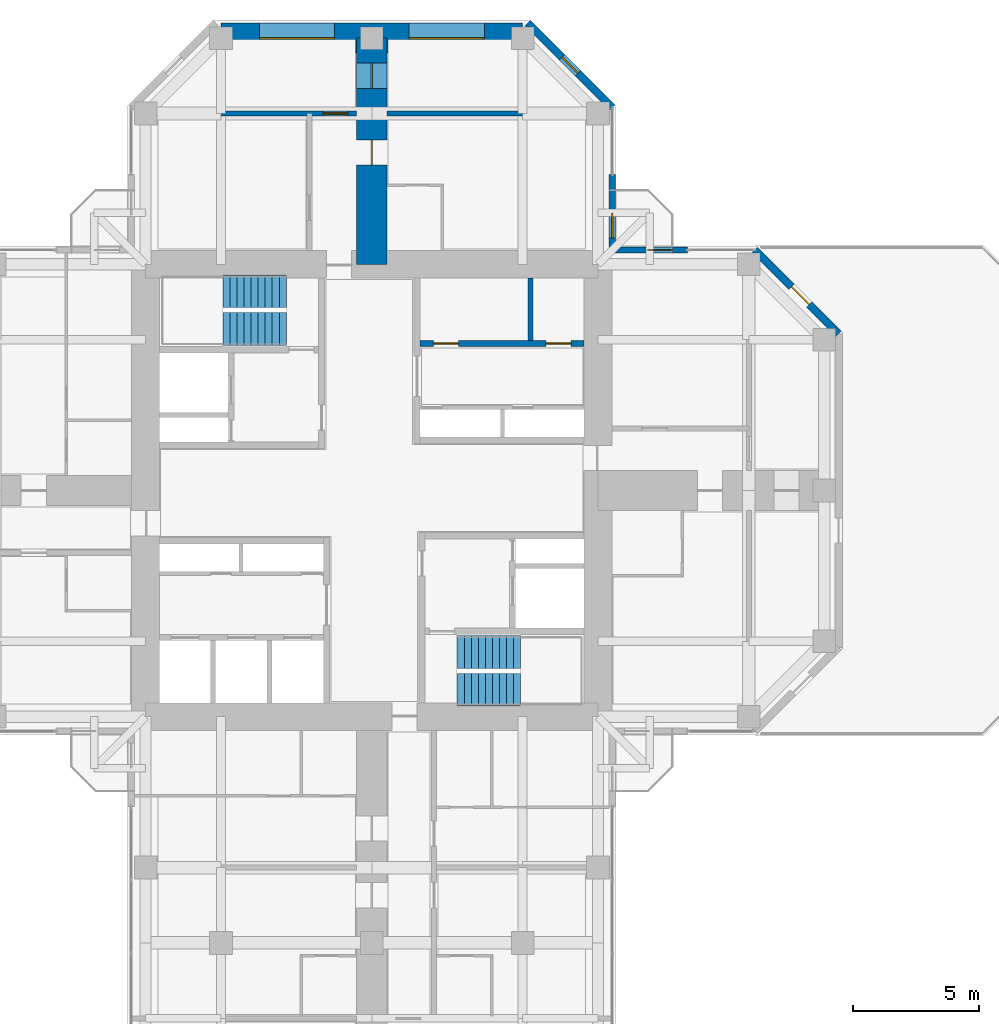
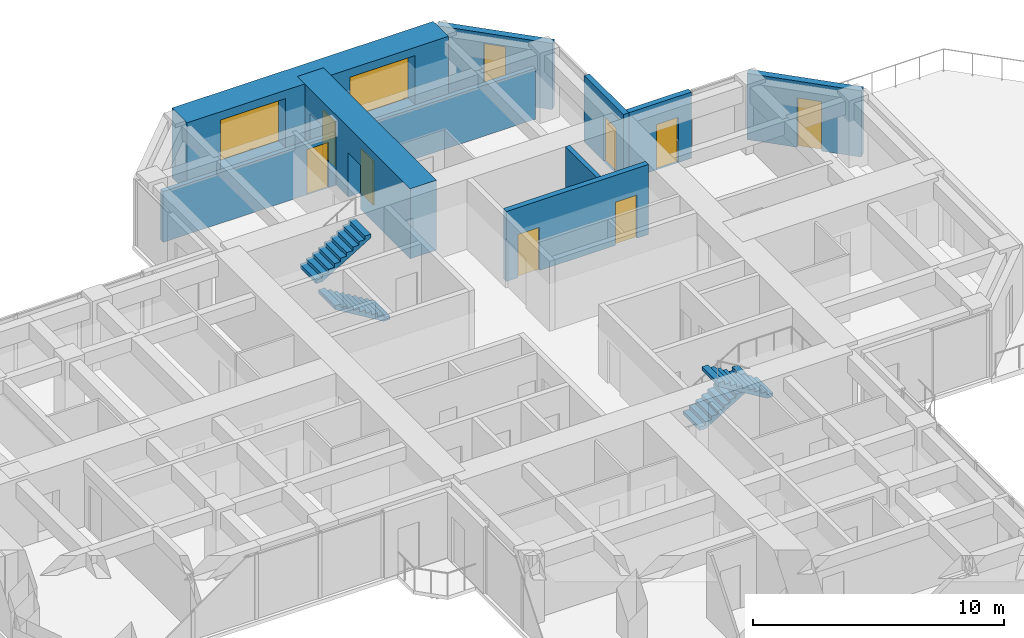
# One storey, part 12 of 14: 10 walls, 8 doors, 4 stair flights, 3 windows, 11 openings, 2 elements without a shape of their own.
"""IFC4 building model written with IfcOpenShell, lengths in metres."""

from ifc_helpers import new_model, si_unit, direction, frame, frame_2d, origin, place, context, subcontext, project, spatial, polyline, rectangle, hollow_rectangle, outline, extrude, material, layer, layer_set, constituent, constituent_set, type_object, element, fill, aggregate, save


model = new_model("IFC4")

# Units and contexts
model_context = context("Model", 3, precision=1e-05, world=origin(), true_north=direction((0.0, 1.0)))
body_context = subcontext(model_context, "Body", "Model", "MODEL_VIEW")
ifc_project = project(units=[si_unit("LENGTHUNIT", "METRE"), si_unit("AREAUNIT", "SQUARE_METRE"), si_unit("VOLUMEUNIT", "CUBIC_METRE"), si_unit("PLANEANGLEUNIT", "RADIAN"), si_unit("MASSUNIT", "GRAM", prefix="KILO")], contexts=[model_context])

# Site, building, storey
site_placement = place(None, origin())
site = spatial("IfcSite", under=ifc_project, at=site_placement, CompositionType="ELEMENT")
building_placement = place(site_placement, origin())
building = spatial("IfcBuilding", under=site, at=building_placement, Name="Torre Cruceta", CompositionType="ELEMENT")
storey_placement = place(building_placement, frame((0.0, 0.0, 169.5)))
storey = spatial("IfcBuildingStorey", under=building, at=storey_placement, Name="L41", CompositionType="ELEMENT", Elevation=169.5)

# Wall, openings, doors
ifc_material_1 = material(Name="Concrete G60 (fck 60 MPa)", Category="concrete")
ifc_layer_1 = layer(ifc_material_1, 0.25)
ifc_layer_set_1 = layer_set([ifc_layer_1], Name="Concrete G60 (fck 60 MPa)")
wall_type_1 = type_object("IfcWallType", Name="CORE INNER WALL 250 G60", PredefinedType="SHEAR", material=ifc_layer_set_1)
wall_1_placement = place(storey_placement, frame((1.925048828125, 5.85009765625, 0.0), z_axis=(0.0, 0.0, 1.0), x_axis=(1.0, 0.0, 0.0)))
wall_1 = element("IfcWall", 1, at=wall_1_placement, inside=storey, type_object=wall_type_1, Name="CW4 L41 NE-LV", PredefinedType="SHEAR", context=body_context, shape_type="SweptSolid", body=[
    extrude(rectangle(XDim=6.52490234375, YDim=0.25, at=frame_2d((3.262451171875, 0.0))), origin(), (0.0, 0.0, 1.0), 3.39990234375),
])
opening_1_placement = place(wall_1_placement, frame((0.520751953125, 0.0, 0.0)))
opening_1 = element("IfcOpeningElement", 2, at=opening_1_placement, cuts=wall_1, Name="Opening D3", PredefinedType="OPENING", context=body_context, shape_type="SweptSolid", body=[
    extrude(rectangle(XDim=1.0, YDim=2.10009765625, at=frame_2d((0.5, 1.050048828125))), frame((0.0, 0.135009765625, 0.0), z_axis=(0.0, -1.0, 0.0), x_axis=(1.0, 0.0, 0.0)), (0.0, 0.0, 1.0), 0.27001953125),
])
opening_2_placement = place(wall_1_placement, frame((5.004150390625, 0.0, 0.0)))
opening_2 = element("IfcOpeningElement", 3, at=opening_2_placement, cuts=wall_1, Name="Opening D3", PredefinedType="OPENING", context=body_context, shape_type="SweptSolid", body=[
    extrude(rectangle(XDim=1.0, YDim=2.10009765625, at=frame_2d((0.5, 1.050048828125))), frame((0.0, 0.135009765625, 0.0), z_axis=(0.0, -1.0, 0.0), x_axis=(1.0, 0.0, 0.0)), (0.0, 0.0, 1.0), 0.27001953125),
])
ifc_material_2 = material(Name="Steel DX51D", Category="steel")
ifc_constituent_1 = constituent(ifc_material_2, Name="Leaf and frame")
ifc_material_3 = material(Name="Polyester powder coating", Category="paint")
ifc_constituent_2 = constituent(ifc_material_3, Name="Finish")
ifc_constituent_set_1 = constituent_set(constituents=[ifc_constituent_1, ifc_constituent_2], Name="Steel fire door")
door_type_1 = type_object("IfcDoorType", Name="FIRE DOOR 1000X2100", OperationType="SINGLE_SWING_LEFT", PredefinedType="DOOR", material=ifc_constituent_set_1)
door_1_placement = place(opening_1_placement, origin())
door_1 = element("IfcDoor", 4, at=door_1_placement, inside=storey, type_object=door_type_1, Name="D3 L41 NE-HR1", OperationType="SINGLE_SWING_LEFT", OverallHeight=2.10009765625, OverallWidth=1.0, PredefinedType="DOOR", context=body_context, shape_type="SweptSolid", body=[
    extrude(rectangle(XDim=1.0, YDim=2.10009765625, at=frame_2d((0.5, 1.050048828125))), frame((0.0, 0.02490234375, 0.0), z_axis=(0.0, -1.0, 0.0), x_axis=(1.0, 0.0, 0.0)), (0.0, 0.0, 1.0), 0.050048828125),
])
fill(opening_1, door_1)
door_2_placement = place(opening_2_placement, origin())
door_2 = element("IfcDoor", 5, at=door_2_placement, inside=storey, type_object=door_type_1, Name="D3 L41 NE-HR2", OperationType="SINGLE_SWING_RIGHT", OverallHeight=2.10009765625, OverallWidth=1.0, PredefinedType="DOOR", context=body_context, shape_type="SweptSolid", body=[
    extrude(rectangle(XDim=1.0, YDim=2.10009765625, at=frame_2d((0.5, 1.050048828125))), frame((0.0, 0.02490234375, 0.0), z_axis=(0.0, -1.0, 0.0), x_axis=(1.0, 0.0, 0.0)), (0.0, 0.0, 1.0), 0.050048828125),
])
fill(opening_2, door_2)

# Wall, opening, door
ifc_material_4 = material(Name="Concrete G30 (fck 30 MPa)", Category="concrete")
ifc_layer_2 = layer(ifc_material_4, 0.300048828125)
ifc_layer_set_2 = layer_set([ifc_layer_2], Name="Concrete G30 (fck 30 MPa)")
wall_type_2 = type_object("IfcWallType", Name="EXPOSED CONCRETE FACADE WALL 300", PredefinedType="SOLIDWALL", material=ifc_layer_set_2)
wall_2_placement = place(storey_placement, frame((18.570068359375, 6.236083984375, 0.0), z_axis=(0.0, 0.0, 1.0), x_axis=(-0.707106781187, 0.707106781187, 0.0)))
wall_2 = element("IfcWall", 6, at=wall_2_placement, inside=storey, type_object=wall_type_2, Name="EW1 facade wall L41 E chamfer 03", PredefinedType="SOLIDWALL", context=body_context, shape_type="SweptSolid", body=[
    extrude(rectangle(XDim=4.715087890625, YDim=0.300048828125, at=frame_2d((2.357421875, 0.0))), origin(), (0.0, 0.0, 1.0), 3.219970703125),
])
opening_3_placement = place(wall_2_placement, frame((1.64990234375, 0.0, 0.0)))
opening_3 = element("IfcOpeningElement", 7, at=opening_3_placement, cuts=wall_2, Name="Opening D11", PredefinedType="OPENING", context=body_context, shape_type="SweptSolid", body=[
    extrude(rectangle(XDim=1.0, YDim=2.39990234375, at=frame_2d((0.5, 1.199951171875))), frame((0.0, 0.159912109375, 0.0), z_axis=(0.0, -1.0, 0.0), x_axis=(1.0, 0.0, 0.0)), (0.0, 0.0, 1.0), 0.320068359375),
])
ifc_material_5 = material(Name="Aluminium door frame", Category="aluminium")
ifc_constituent_3 = constituent(ifc_material_5, Name="Frame")
ifc_material_6 = material(Name="Laminated safety glass", Category="glass")
ifc_constituent_4 = constituent(ifc_material_6, Name="Glazing")
ifc_constituent_set_2 = constituent_set(constituents=[ifc_constituent_3, ifc_constituent_4], Name="Aluminium glazed door")
door_type_2 = type_object("IfcDoorType", Name="TERRACE DOOR 1000X2400", OperationType="SINGLE_SWING_LEFT", PredefinedType="DOOR", material=ifc_constituent_set_2)
door_3_placement = place(opening_3_placement, origin())
door_3 = element("IfcDoor", 8, at=door_3_placement, inside=storey, type_object=door_type_2, Name="D11 terrace door L41 E", OperationType="SINGLE_SWING_LEFT", OverallHeight=2.39990234375, OverallWidth=1.0, PredefinedType="DOOR", context=body_context, shape_type="SweptSolid", body=[
    extrude(hollow_rectangle(XDim=1.0, YDim=2.39990234375, WallThickness=0.06005859375, at=frame_2d((0.5, 1.199951171875))), frame((0.0, 0.02490234375, 0.0), z_axis=(0.0, -1.0, 0.0), x_axis=(1.0, 0.0, 0.0)), (0.0, 0.0, 1.0), 0.050048828125),
    extrude(rectangle(XDim=0.87890625, YDim=2.27880859375, at=frame_2d((0.5, 1.199951171875))), frame((0.0, 0.02490234375, 0.0), z_axis=(0.0, -1.0, 0.0), x_axis=(1.0, 0.0, 0.0)), (0.0, 0.0, 1.0), 0.050048828125),
])
fill(opening_3, door_3)

# Wall, opening, window
wall_3_placement = place(storey_placement, frame((9.570068359375, 15.236083984375, 0.0), z_axis=(0.0, 0.0, 1.0), x_axis=(-0.707106781187, 0.707106781187, 0.0)))
wall_3 = element("IfcWall", 9, at=wall_3_placement, inside=storey, type_object=wall_type_2, Name="EW1 facade wall L41 N chamfer 06", PredefinedType="SOLIDWALL", context=body_context, shape_type="SweptSolid", body=[
    extrude(rectangle(XDim=4.75732421875, YDim=0.300048828125, at=frame_2d((2.378662109375, 0.0))), origin(), (0.0, 0.0, 1.0), 3.219970703125),
])
opening_4_placement = place(wall_3_placement, frame((1.9287109375, 0.0, 0.300048828125)))
opening_4 = element("IfcOpeningElement", 10, at=opening_4_placement, cuts=wall_3, Name="Opening WN5", PredefinedType="OPENING", context=body_context, shape_type="SweptSolid", body=[
    extrude(rectangle(XDim=0.89990234375, YDim=2.39990234375, at=frame_2d((0.449951171875, 1.199951171875))), frame((0.0, 0.159912109375, 0.0), z_axis=(0.0, -1.0, 0.0), x_axis=(1.0, 0.0, 0.0)), (0.0, 0.0, 1.0), 0.320068359375),
])
ifc_material_7 = material(Name="Aluminium window frame", Category="aluminium")
ifc_constituent_5 = constituent(ifc_material_7, Name="Frame")
ifc_material_8 = material(Name="Laminated insulating glass unit, low-iron clear", Category="glass")
ifc_constituent_6 = constituent(ifc_material_8, Name="Glazing")
ifc_constituent_set_3 = constituent_set(constituents=[ifc_constituent_5, ifc_constituent_6], Name="Aluminium window")
window_type_1 = type_object("IfcWindowType", Name="CHAMFER SLOT WINDOW 900X2400", PartitioningType="SINGLE_PANEL", PredefinedType="WINDOW", material=ifc_constituent_set_3)
window_1_placement = place(opening_4_placement, origin())
window_1 = element("IfcWindow", 11, at=window_1_placement, inside=storey, type_object=window_type_1, Name="WN5 L41 N 1", OverallHeight=2.39990234375, OverallWidth=0.89990234375, PartitioningType="SINGLE_PANEL", PredefinedType="WINDOW", context=body_context, shape_type="SweptSolid", body=[
    extrude(hollow_rectangle(XDim=0.89990234375, YDim=2.39990234375, WallThickness=0.06005859375, at=frame_2d((0.449951171875, 1.199951171875))), frame((0.0, 0.030029296875, 0.0), z_axis=(0.0, -1.0, 0.0), x_axis=(1.0, 0.0, 0.0)), (0.0, 0.0, 1.0), 0.06005859375),
    extrude(rectangle(XDim=0.77880859375, YDim=2.27880859375, at=frame_2d((0.449951171875, 1.199951171875))), frame((0.0, 0.030029296875, 0.0), z_axis=(0.0, -1.0, 0.0), x_axis=(1.0, 0.0, 0.0)), (0.0, 0.0, 1.0), 0.06005859375),
])
fill(opening_4, window_1)

# Wall
ifc_material_9 = material(Name="Concrete G35 (fck 35 MPa)", Category="concrete")
ifc_layer_3 = layer(ifc_material_9, 0.199951171875)
ifc_layer_set_3 = layer_set([ifc_layer_3], Name="Concrete G35 (fck 35 MPa)")
wall_type_3 = type_object("IfcWallType", Name="LIFT SHAFT WALL 200", PredefinedType="PARTITIONING", material=ifc_layer_set_3)
wall_4_placement = place(storey_placement, frame((6.308349609375, 5.97509765625, 0.0), z_axis=(0.0, 0.0, 1.0), x_axis=(0.0, 1.0, 0.0)))
element("IfcWall", 12, at=wall_4_placement, inside=storey, type_object=wall_type_3, Name="SW1 L41 NE-LS2", PredefinedType="PARTITIONING", context=body_context, shape_type="SweptSolid", body=[
    extrude(rectangle(XDim=2.474853515625, YDim=0.199951171875, at=frame_2d((1.2373046875, 0.0))), origin(), (0.0, 0.0, 1.0), 3.39990234375),
])

# Wall, openings, windows
ifc_material_10 = material(Name="Concrete G60 (fck 60 MPa)", Category="concrete")
ifc_layer_4 = layer(ifc_material_10, 1.199951171875)
ifc_layer_set_4 = layer_set([ifc_layer_4], Name="Concrete G60 (fck 60 MPa)")
wall_type_4 = type_object("IfcWallType", Name="NOSE WALL 1200 G60", PredefinedType="SHEAR", material=ifc_layer_set_4)
wall_5_placement = place(storey_placement, frame((6.0, 18.0, 0.0), z_axis=(0.0, 0.0, 1.0), x_axis=(-1.0, 0.0, 0.0)))
wall_5 = element("IfcWall", 13, at=wall_5_placement, inside=storey, type_object=wall_type_4, Name="NW1 nose wall L41 N", PredefinedType="SHEAR", context=body_context, shape_type="SweptSolid", body=[
    extrude(rectangle(XDim=12.0, YDim=1.199951171875, at=frame_2d((6.0, 0.0))), origin(), (0.0, 0.0, 1.0), 3.39990234375),
])
opening_5_placement = place(wall_5_placement, frame((1.52490234375, 0.0, 0.60009765625)))
opening_5 = element("IfcOpeningElement", 14, at=opening_5_placement, cuts=wall_5, Name="Opening WN6", PredefinedType="OPENING", context=body_context, shape_type="SweptSolid", body=[
    extrude(rectangle(XDim=3.0, YDim=2.39990234375, at=frame_2d((1.5, 1.199951171875))), frame((0.0, 0.60986328125, 0.0), z_axis=(0.0, -1.0, 0.0), x_axis=(1.0, 0.0, 0.0)), (0.0, 0.0, 1.0), 1.219970703125),
])
opening_6_placement = place(wall_5_placement, frame((7.47509765625, 0.0, 0.60009765625)))
opening_6 = element("IfcOpeningElement", 15, at=opening_6_placement, cuts=wall_5, Name="Opening WN6", PredefinedType="OPENING", context=body_context, shape_type="SweptSolid", body=[
    extrude(rectangle(XDim=3.0, YDim=2.39990234375, at=frame_2d((1.5, 1.199951171875))), frame((0.0, 0.60986328125, 0.0), z_axis=(0.0, -1.0, 0.0), x_axis=(1.0, 0.0, 0.0)), (0.0, 0.0, 1.0), 1.219970703125),
])
ifc_material_11 = material(Name="Aluminium window frame", Category="aluminium")
ifc_constituent_7 = constituent(ifc_material_11, Name="Frame")
ifc_material_12 = material(Name="Laminated insulating glass unit, low-iron clear", Category="glass")
ifc_constituent_8 = constituent(ifc_material_12, Name="Glazing")
ifc_constituent_set_4 = constituent_set(constituents=[ifc_constituent_7, ifc_constituent_8], Name="Aluminium window")
window_type_2 = type_object("IfcWindowType", Name="NOSE WALL WINDOW 3000X2400", PartitioningType="SINGLE_PANEL", PredefinedType="WINDOW", material=ifc_constituent_set_4)
window_2_placement = place(opening_5_placement, origin())
window_2 = element("IfcWindow", 16, at=window_2_placement, inside=storey, type_object=window_type_2, Name="WN6 L41 N 1", OverallHeight=2.39990234375, OverallWidth=3.0, PartitioningType="SINGLE_PANEL", PredefinedType="WINDOW", context=body_context, shape_type="SweptSolid", body=[
    extrude(hollow_rectangle(XDim=3.0, YDim=2.39990234375, WallThickness=0.06005859375, at=frame_2d((1.5, 1.199951171875))), frame((0.0, 0.030029296875, 0.0), z_axis=(0.0, -1.0, 0.0), x_axis=(1.0, 0.0, 0.0)), (0.0, 0.0, 1.0), 0.06005859375),
    extrude(rectangle(XDim=2.87890625, YDim=2.27880859375, at=frame_2d((1.5, 1.199951171875))), frame((0.0, 0.030029296875, 0.0), z_axis=(0.0, -1.0, 0.0), x_axis=(1.0, 0.0, 0.0)), (0.0, 0.0, 1.0), 0.06005859375),
])
fill(opening_5, window_2)
window_3_placement = place(opening_6_placement, origin())
window_3 = element("IfcWindow", 17, at=window_3_placement, inside=storey, type_object=window_type_2, Name="WN6 L41 N 2", OverallHeight=2.39990234375, OverallWidth=3.0, PartitioningType="SINGLE_PANEL", PredefinedType="WINDOW", context=body_context, shape_type="SweptSolid", body=[
    extrude(hollow_rectangle(XDim=3.0, YDim=2.39990234375, WallThickness=0.06005859375, at=frame_2d((1.5, 1.199951171875))), frame((0.0, 0.030029296875, 0.0), z_axis=(0.0, -1.0, 0.0), x_axis=(1.0, 0.0, 0.0)), (0.0, 0.0, 1.0), 0.06005859375),
    extrude(rectangle(XDim=2.87890625, YDim=2.27880859375, at=frame_2d((1.5, 1.199951171875))), frame((0.0, 0.030029296875, 0.0), z_axis=(0.0, -1.0, 0.0), x_axis=(1.0, 0.0, 0.0)), (0.0, 0.0, 1.0), 0.06005859375),
])
fill(opening_6, window_3)

# Wall, openings, doors
ifc_material_13 = material(Name="Concrete G60 (fck 60 MPa)", Category="concrete")
ifc_layer_5 = layer(ifc_material_13, 1.199951171875)
ifc_layer_set_5 = layer_set([ifc_layer_5], Name="Concrete G60 (fck 60 MPa)")
wall_type_5 = type_object("IfcWallType", Name="SPINE WALL 1200 G60", PredefinedType="SHEAR", material=ifc_layer_set_5)
wall_6_placement = place(storey_placement, frame((0.0, 9.0, 0.0), z_axis=(0.0, 0.0, 1.0), x_axis=(0.0, 1.0, 0.0)))
wall_6 = element("IfcWall", 18, at=wall_6_placement, inside=storey, type_object=wall_type_5, Name="SW3 spine wall L41 N", PredefinedType="SHEAR", context=body_context, shape_type="SweptSolid", body=[
    extrude(rectangle(XDim=9.0, YDim=1.199951171875, at=frame_2d((4.5, 0.0))), origin(), (0.0, 0.0, 1.0), 3.39990234375),
])
opening_7_placement = place(wall_6_placement, frame((3.949951171875, 0.0, 0.0)))
opening_7 = element("IfcOpeningElement", 19, at=opening_7_placement, cuts=wall_6, Name="Opening D6", PredefinedType="OPENING", context=body_context, shape_type="SweptSolid", body=[
    extrude(rectangle(XDim=1.0, YDim=2.14990234375, at=frame_2d((0.5, 1.074951171875))), frame((0.0, 0.60986328125, 0.0), z_axis=(0.0, -1.0, 0.0), x_axis=(1.0, 0.0, 0.0)), (0.0, 0.0, 1.0), 1.219970703125),
])
opening_8_placement = place(wall_6_placement, frame((7.0, 0.0, 0.0)))
opening_8 = element("IfcOpeningElement", 20, at=opening_8_placement, cuts=wall_6, Name="Opening D14", PredefinedType="OPENING", context=body_context, shape_type="SweptSolid", body=[
    extrude(rectangle(XDim=1.0, YDim=2.199951171875, at=frame_2d((0.5, 1.10009765625))), frame((0.0, 0.60986328125, 0.0), z_axis=(0.0, -1.0, 0.0), x_axis=(1.0, 0.0, 0.0)), (0.0, 0.0, 1.0), 1.219970703125),
])
ifc_material_14 = material(Name="Steel DX51D", Category="steel")
ifc_constituent_9 = constituent(ifc_material_14, Name="Leaf and frame")
ifc_material_15 = material(Name="Polyester powder coating", Category="paint")
ifc_constituent_10 = constituent(ifc_material_15, Name="Finish")
ifc_material_16 = material(Name="Fire-resisting glass", Category="glass")
ifc_constituent_11 = constituent(ifc_material_16, Name="Vision panel")
ifc_constituent_set_5 = constituent_set(constituents=[ifc_constituent_9, ifc_constituent_10, ifc_constituent_11], Name="Steel fire door with vision panel")
door_type_3 = type_object("IfcDoorType", Name="FIRE DOOR VISION PANEL 1000X2200", OperationType="SINGLE_SWING_RIGHT", PredefinedType="DOOR", material=ifc_constituent_set_5)
door_4_placement = place(opening_8_placement, origin())
door_4 = element("IfcDoor", 21, at=door_4_placement, inside=storey, type_object=door_type_3, Name="D14 L41-N-SP2", OperationType="SINGLE_SWING_RIGHT", OverallHeight=2.199951171875, OverallWidth=1.0, PredefinedType="DOOR", context=body_context, shape_type="SweptSolid", body=[
    extrude(rectangle(XDim=1.0, YDim=2.199951171875, at=frame_2d((0.5, 1.10009765625))), frame((0.0, 0.02490234375, 0.0), z_axis=(0.0, -1.0, 0.0), x_axis=(1.0, 0.0, 0.0)), (0.0, 0.0, 1.0), 0.050048828125),
])
fill(opening_8, door_4)
ifc_material_17 = material(Name="Timber fire door", Category="wood")
door_type_4 = type_object("IfcDoorType", Name="UNIT ENTRANCE DOOR 1000X2150", OperationType="SINGLE_SWING_LEFT", PredefinedType="DOOR", material=ifc_material_17)
door_5_placement = place(opening_7_placement, frame((1.0, 0.0, 0.0), z_axis=(0.0, 0.0, 1.0), x_axis=(-1.0, 0.0, 0.0)))
door_5 = element("IfcDoor", 22, at=door_5_placement, inside=storey, type_object=door_type_4, Name="D6 L41-N-SP1", OperationType="SINGLE_SWING_RIGHT", OverallHeight=2.14990234375, OverallWidth=1.0, PredefinedType="DOOR", context=body_context, shape_type="SweptSolid", body=[
    extrude(rectangle(XDim=1.0, YDim=2.14990234375, at=frame_2d((0.5, 1.074951171875))), frame((0.0, 0.025146484375, 0.0), z_axis=(0.0, -1.0, 0.0), x_axis=(1.0, 0.0, 0.0)), (0.0, 0.0, 1.0), 0.050048828125),
])
fill(opening_7, door_5)

# Wall
ifc_material_18 = material(Name="Concrete G25 (fck 25 MPa)", Category="concrete")
ifc_layer_6 = layer(ifc_material_18, 0.199951171875)
ifc_layer_set_6 = layer_set([ifc_layer_6], Name="Concrete G25 (fck 25 MPa)")
wall_type_6 = type_object("IfcWallType", Name="UNIT SEPARATING WALL 200", PredefinedType="SOLIDWALL", material=ifc_layer_set_6)
wall_7_placement = place(storey_placement, frame((8.550048828125, 15.0, 0.0), z_axis=(0.0, 0.0, 1.0), x_axis=(-1.0, 0.0, 0.0)))
element("IfcWall", 23, at=wall_7_placement, inside=storey, type_object=wall_type_6, Name="PT2 L41-N-ENDa", PredefinedType="SOLIDWALL", context=body_context, shape_type="SweptSolid", body=[
    extrude(rectangle(XDim=7.949951171875, YDim=0.199951171875, at=frame_2d((3.97509765625, 0.0))), origin(), (0.0, 0.0, 1.0), 2.469970703125),
])

# Wall, opening, door
wall_8_placement = place(storey_placement, frame((-0.60009765625, 15.0, 0.0), z_axis=(0.0, 0.0, 1.0), x_axis=(-1.0, 0.0, 0.0)))
wall_8 = element("IfcWall", 24, at=wall_8_placement, inside=storey, type_object=wall_type_6, Name="PT2 L41-N-ENDb", PredefinedType="SOLIDWALL", context=body_context, shape_type="SweptSolid", body=[
    extrude(rectangle(XDim=7.949951171875, YDim=0.199951171875, at=frame_2d((3.97509765625, 0.0))), origin(), (0.0, 0.0, 1.0), 2.469970703125),
])
opening_9_placement = place(wall_8_placement, frame((0.35009765625, 0.0, 0.0)))
opening_9 = element("IfcOpeningElement", 25, at=opening_9_placement, cuts=wall_8, Name="Opening D14", PredefinedType="OPENING", context=body_context, shape_type="SweptSolid", body=[
    extrude(rectangle(XDim=1.0, YDim=2.199951171875, at=frame_2d((0.5, 1.10009765625))), frame((0.0, 0.10986328125, 0.0), z_axis=(0.0, -1.0, 0.0), x_axis=(1.0, 0.0, 0.0)), (0.0, 0.0, 1.0), 0.219970703125),
])
door_6_placement = place(opening_9_placement, frame((1.0, 0.0, 0.0), z_axis=(0.0, 0.0, 1.0), x_axis=(-1.0, 0.0, 0.0)))
door_6 = element("IfcDoor", 26, at=door_6_placement, inside=storey, type_object=door_type_3, Name="D14 L41-N-ENDb-D1", OperationType="SINGLE_SWING_RIGHT", OverallHeight=2.199951171875, OverallWidth=1.0, PredefinedType="DOOR", context=body_context, shape_type="SweptSolid", body=[
    extrude(rectangle(XDim=1.0, YDim=2.199951171875, at=frame_2d((0.5, 1.10009765625))), frame((0.0, 0.025146484375, 0.0), z_axis=(0.0, -1.0, 0.0), x_axis=(1.0, 0.0, 0.0)), (0.0, 0.0, 1.0), 0.050048828125),
])
fill(opening_9, door_6)

ifc_material_19 = material(Name="Concrete G30 (fck 30 MPa)", Category="concrete")
ifc_layer_7 = layer(ifc_material_19, 0.25)
ifc_layer_set_7 = layer_set([ifc_layer_7], Name="Concrete G30 (fck 30 MPa)")
wall_type_7 = type_object("IfcWallType", Name="WINTER GARDEN WALL 250", PredefinedType="SOLIDWALL", material=ifc_layer_set_7)
wall_9_placement = place(storey_placement, frame((12.570068359375, 9.570068359375, 0.0), z_axis=(0.0, 0.0, 1.0), x_axis=(-1.0, 0.0, 0.0)))
wall_9 = element("IfcWall", 27, at=wall_9_placement, inside=storey, type_object=wall_type_7, Name="EW2 winter garden wall L41 04", PredefinedType="SOLIDWALL", context=body_context, shape_type="SweptSolid", body=[
    extrude(rectangle(XDim=2.875, YDim=0.25, at=frame_2d((1.4375, 0.0))), origin(), (0.0, 0.0, 1.0), 3.219970703125),
])
opening_10_placement = place(wall_9_placement, frame((0.60009765625, 0.0, 0.0)))
opening_10 = element("IfcOpeningElement", 28, at=opening_10_placement, cuts=wall_9, Name="Opening D10", PredefinedType="OPENING", context=body_context, shape_type="SweptSolid", body=[
    extrude(rectangle(XDim=1.0, YDim=2.199951171875, at=frame_2d((0.5, 1.10009765625))), frame((0.0, 0.135009765625, 0.0), z_axis=(0.0, -1.0, 0.0), x_axis=(1.0, 0.0, 0.0)), (0.0, 0.0, 1.0), 0.27001953125),
])
ifc_material_20 = material(Name="Aluminium door frame", Category="aluminium")
ifc_constituent_12 = constituent(ifc_material_20, Name="Frame")
ifc_material_21 = material(Name="Laminated safety glass", Category="glass")
ifc_constituent_13 = constituent(ifc_material_21, Name="Glazing")
ifc_constituent_set_6 = constituent_set(constituents=[ifc_constituent_12, ifc_constituent_13], Name="Aluminium glazed door")
door_type_5 = type_object("IfcDoorType", Name="BALCONY DOOR 1000X2200", OperationType="SINGLE_SWING_RIGHT", PredefinedType="DOOR", material=ifc_constituent_set_6)
door_7_placement = place(opening_10_placement, origin())
door_7 = element("IfcDoor", 29, at=door_7_placement, inside=storey, type_object=door_type_5, Name="D10 balcony door L41 04", OperationType="SINGLE_SWING_RIGHT", OverallHeight=2.199951171875, OverallWidth=1.0, PredefinedType="DOOR", context=body_context, shape_type="SweptSolid", body=[
    extrude(hollow_rectangle(XDim=1.0, YDim=2.199951171875, WallThickness=0.06005859375, at=frame_2d((0.5, 1.10009765625))), frame((0.0, 0.02490234375, 0.0), z_axis=(0.0, -1.0, 0.0), x_axis=(1.0, 0.0, 0.0)), (0.0, 0.0, 1.0), 0.050048828125),
    extrude(rectangle(XDim=0.87890625, YDim=2.078857421875, at=frame_2d((0.5, 1.10009765625))), frame((0.0, 0.02490234375, 0.0), z_axis=(0.0, -1.0, 0.0), x_axis=(1.0, 0.0, 0.0)), (0.0, 0.0, 1.0), 0.050048828125),
])
fill(opening_10, door_7)

wall_10_placement = place(storey_placement, frame((9.570068359375, 9.445068359375, 0.0), z_axis=(0.0, 0.0, 1.0), x_axis=(0.0, 1.0, 0.0)))
wall_10 = element("IfcWall", 30, at=wall_10_placement, inside=storey, type_object=wall_type_7, Name="EW2 winter garden wall L41 05", PredefinedType="SOLIDWALL", context=body_context, shape_type="SweptSolid", body=[
    extrude(rectangle(XDim=3.125, YDim=0.25, at=frame_2d((1.5625, 0.0))), origin(), (0.0, 0.0, 1.0), 3.219970703125),
])
opening_11_placement = place(wall_10_placement, frame((0.60009765625, 0.0, 0.0)))
opening_11 = element("IfcOpeningElement", 31, at=opening_11_placement, cuts=wall_10, Name="Opening D10", PredefinedType="OPENING", context=body_context, shape_type="SweptSolid", body=[
    extrude(rectangle(XDim=1.0, YDim=2.199951171875, at=frame_2d((0.5, 1.10009765625))), frame((0.0, 0.135009765625, 0.0), z_axis=(0.0, -1.0, 0.0), x_axis=(1.0, 0.0, 0.0)), (0.0, 0.0, 1.0), 0.27001953125),
])
door_8_placement = place(opening_11_placement, origin())
door_8 = element("IfcDoor", 32, at=door_8_placement, inside=storey, type_object=door_type_5, Name="D10 balcony door L41 05", OperationType="SINGLE_SWING_LEFT", OverallHeight=2.199951171875, OverallWidth=1.0, PredefinedType="DOOR", context=body_context, shape_type="SweptSolid", body=[
    extrude(hollow_rectangle(XDim=1.0, YDim=2.199951171875, WallThickness=0.06005859375, at=frame_2d((0.5, 1.10009765625))), frame((0.0, 0.02490234375, 0.0), z_axis=(0.0, -1.0, 0.0), x_axis=(1.0, 0.0, 0.0)), (0.0, 0.0, 1.0), 0.050048828125),
    extrude(rectangle(XDim=0.87890625, YDim=2.078857421875, at=frame_2d((0.5, 1.10009765625))), frame((0.0, 0.02490234375, 0.0), z_axis=(0.0, -1.0, 0.0), x_axis=(1.0, 0.0, 0.0)), (0.0, 0.0, 1.0), 0.050048828125),
])
fill(opening_11, door_8)

# Stair, stair flights
ifc_material_22 = material(Name="Concrete G30 (fck 30 MPa)", Category="concrete")
stair_type = type_object("IfcStairType", Name="STAIR HALF-TURN 1300", PredefinedType="HALF_TURN_STAIR", material=ifc_material_22)
stair_1_placement = place(storey_placement, origin())
stair_1 = element("IfcStair", 33, at=stair_1_placement, inside=storey, type_object=stair_type, Name="Stair ST1 L41", PredefinedType="HALF_TURN_STAIR")
ifc_material_23 = material(Name="Concrete G30 (fck 30 MPa)", Category="concrete")
stair_flight_type = type_object("IfcStairFlightType", Name="STAIR FLIGHT 1300", PredefinedType="STRAIGHT", material=ifc_material_23)
stair_flight_1_placement = place(storey_placement, frame((-3.39990234375, 6.425048828125, 0.0), z_axis=(0.0, 0.0, 1.0), x_axis=(-1.0, 0.0, 0.0)))
stair_flight_1 = element("IfcStairFlight", 34, at=stair_flight_1_placement, type_object=stair_flight_type, Name="ST1 flight 1", NumberOfRisers=10, NumberOfTreads=9, PredefinedType="STRAIGHT", RiserHeight=0.17, TreadLength=0.28, context=body_context, shape_type="SweptSolid", body=[
    extrude(outline(polyline([(0.0, 0.0), (0.0, 0.169921875), (0.280029296875, 0.169921875), (0.280029296875, 0.340087890625), (0.56005859375, 0.340087890625), (0.56005859375, 0.510009765625), (0.840087890625, 0.510009765625), (0.840087890625, 0.679931640625), (1.1201171875, 0.679931640625), (1.1201171875, 0.85009765625), (1.39990234375, 0.85009765625), (1.39990234375, 1.02001953125), (1.679931640625, 1.02001953125), (1.679931640625, 1.18994140625), (1.9599609375, 1.18994140625), (1.9599609375, 1.360107421875), (2.239990234375, 1.360107421875), (2.239990234375, 1.530029296875), (2.52001953125, 1.530029296875), (2.52001953125, 1.699951171875), (2.52001953125, 1.354736328125), (0.288818359375, 0.0), (0.0, 0.0)])), frame((0.0, 0.64990234375, 0.0), z_axis=(0.0, -1.0, 0.0), x_axis=(1.0, 0.0, 0.0)), (0.0, 0.0, 1.0), 1.300048828125),
])
stair_flight_2_placement = place(storey_placement, frame((-5.919921875, 7.925048828125, 1.699951171875), z_axis=(0.0, 0.0, 1.0), x_axis=(1.0, 0.0, 0.0)))
stair_flight_2 = element("IfcStairFlight", 35, at=stair_flight_2_placement, type_object=stair_flight_type, Name="ST1 flight 2", NumberOfRisers=10, NumberOfTreads=9, PredefinedType="STRAIGHT", RiserHeight=0.17, TreadLength=0.28, context=body_context, shape_type="SweptSolid", body=[
    extrude(outline(polyline([(0.0, 0.0), (0.0, 0.169921875), (0.280029296875, 0.169921875), (0.280029296875, 0.340087890625), (0.56005859375, 0.340087890625), (0.56005859375, 0.510009765625), (0.840087890625, 0.510009765625), (0.840087890625, 0.679931640625), (1.1201171875, 0.679931640625), (1.1201171875, 0.85009765625), (1.39990234375, 0.85009765625), (1.39990234375, 1.02001953125), (1.679931640625, 1.02001953125), (1.679931640625, 1.18994140625), (1.9599609375, 1.18994140625), (1.9599609375, 1.360107421875), (2.239990234375, 1.360107421875), (2.239990234375, 1.530029296875), (2.52001953125, 1.530029296875), (2.52001953125, 1.699951171875), (2.52001953125, 1.354736328125), (0.288818359375, 0.0), (0.0, 0.0)])), frame((0.0, 0.64990234375, 0.0), z_axis=(0.0, -1.0, 0.0), x_axis=(1.0, 0.0, 0.0)), (0.0, 0.0, 1.0), 1.300048828125),
])
aggregate(stair_1, [stair_flight_1, stair_flight_2])

stair_2_placement = place(storey_placement, origin())
stair_2 = element("IfcStair", 36, at=stair_2_placement, inside=storey, type_object=stair_type, Name="Stair ST2 L41", PredefinedType="HALF_TURN_STAIR")
stair_flight_3_placement = place(storey_placement, frame((3.39990234375, -6.425048828125, 0.0), z_axis=(0.0, 0.0, 1.0), x_axis=(1.0, 0.0, 0.0)))
stair_flight_3 = element("IfcStairFlight", 37, at=stair_flight_3_placement, type_object=stair_flight_type, Name="ST2 flight 1", NumberOfRisers=10, NumberOfTreads=9, PredefinedType="STRAIGHT", RiserHeight=0.17, TreadLength=0.28, context=body_context, shape_type="SweptSolid", body=[
    extrude(outline(polyline([(0.0, 0.0), (0.0, 0.169921875), (0.280029296875, 0.169921875), (0.280029296875, 0.340087890625), (0.56005859375, 0.340087890625), (0.56005859375, 0.510009765625), (0.840087890625, 0.510009765625), (0.840087890625, 0.679931640625), (1.1201171875, 0.679931640625), (1.1201171875, 0.85009765625), (1.39990234375, 0.85009765625), (1.39990234375, 1.02001953125), (1.679931640625, 1.02001953125), (1.679931640625, 1.18994140625), (1.9599609375, 1.18994140625), (1.9599609375, 1.360107421875), (2.239990234375, 1.360107421875), (2.239990234375, 1.530029296875), (2.52001953125, 1.530029296875), (2.52001953125, 1.699951171875), (2.52001953125, 1.354736328125), (0.288818359375, 0.0), (0.0, 0.0)])), frame((0.0, 0.64990234375, 0.0), z_axis=(0.0, -1.0, 0.0), x_axis=(1.0, 0.0, 0.0)), (0.0, 0.0, 1.0), 1.300048828125),
])
stair_flight_4_placement = place(storey_placement, frame((5.919921875, -7.925048828125, 1.699951171875), z_axis=(0.0, 0.0, 1.0), x_axis=(-1.0, 0.0, 0.0)))
stair_flight_4 = element("IfcStairFlight", 38, at=stair_flight_4_placement, type_object=stair_flight_type, Name="ST2 flight 2", NumberOfRisers=10, NumberOfTreads=9, PredefinedType="STRAIGHT", RiserHeight=0.17, TreadLength=0.28, context=body_context, shape_type="SweptSolid", body=[
    extrude(outline(polyline([(0.0, 0.0), (0.0, 0.169921875), (0.280029296875, 0.169921875), (0.280029296875, 0.340087890625), (0.56005859375, 0.340087890625), (0.56005859375, 0.510009765625), (0.840087890625, 0.510009765625), (0.840087890625, 0.679931640625), (1.1201171875, 0.679931640625), (1.1201171875, 0.85009765625), (1.39990234375, 0.85009765625), (1.39990234375, 1.02001953125), (1.679931640625, 1.02001953125), (1.679931640625, 1.18994140625), (1.9599609375, 1.18994140625), (1.9599609375, 1.360107421875), (2.239990234375, 1.360107421875), (2.239990234375, 1.530029296875), (2.52001953125, 1.530029296875), (2.52001953125, 1.699951171875), (2.52001953125, 1.354736328125), (0.288818359375, 0.0), (0.0, 0.0)])), frame((0.0, 0.64990234375, 0.0), z_axis=(0.0, -1.0, 0.0), x_axis=(1.0, 0.0, 0.0)), (0.0, 0.0, 1.0), 1.300048828125),
])
aggregate(stair_2, [stair_flight_3, stair_flight_4])

save(model, "model.ifc")
